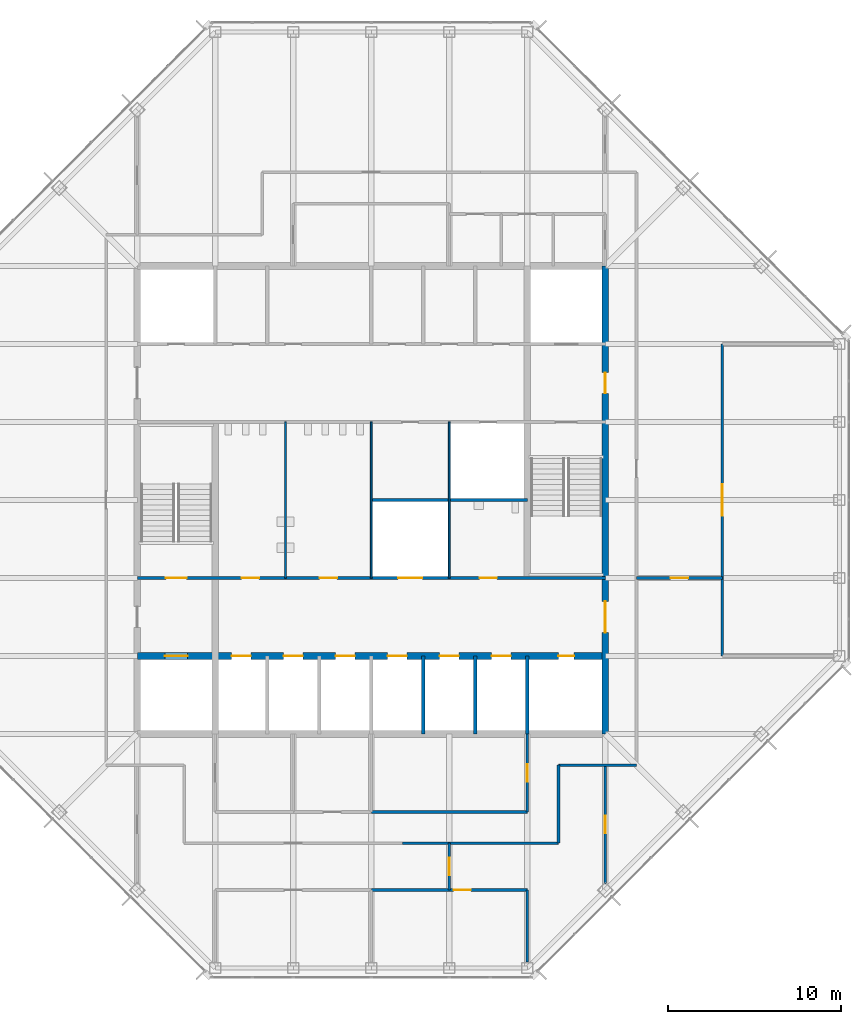
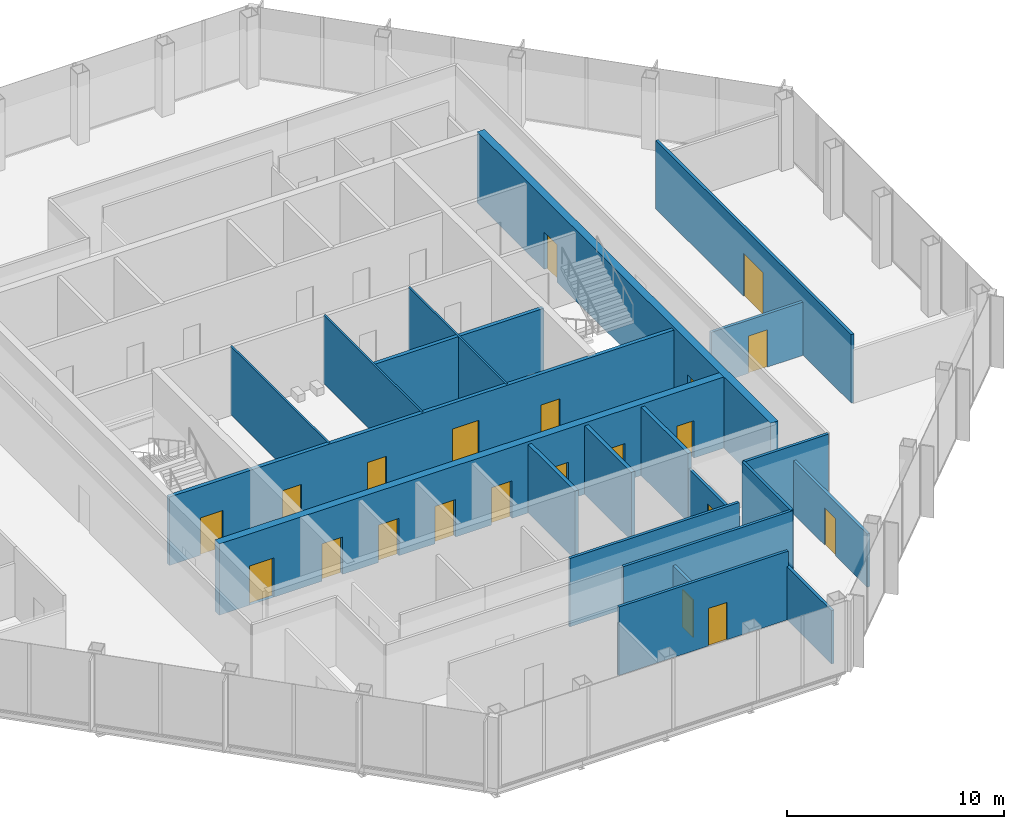
# One storey, part 10 of 14: 21 doors, 21 walls, 21 openings.
"""IFC4 building model written with IfcOpenShell, lengths in metres."""

from ifc_helpers import new_model, si_unit, direction, frame, frame_2d, origin, place, context, subcontext, project, spatial, rectangle, extrude, material, layer, layer_set, type_object, element, fill, save


model = new_model("IFC4")

# Units and contexts
model_context = context("Model", 3, precision=1e-05, world=origin(), true_north=direction((0.0, 1.0)))
body_context = subcontext(model_context, "Body", "Model", "MODEL_VIEW")
ifc_project = project(units=[si_unit("LENGTHUNIT", "METRE"), si_unit("AREAUNIT", "SQUARE_METRE"), si_unit("VOLUMEUNIT", "CUBIC_METRE"), si_unit("PLANEANGLEUNIT", "RADIAN"), si_unit("MASSUNIT", "GRAM", prefix="KILO")], contexts=[model_context])

# Site, building, storey
site_placement = place(None, origin())
site = spatial("IfcSite", under=ifc_project, at=site_placement, CompositionType="ELEMENT")
building_placement = place(site_placement, origin())
building = spatial("IfcBuilding", under=site, at=building_placement, Name="Corais Broadcast Tower", CompositionType="ELEMENT")
storey_placement = place(building_placement, frame((0.0, 0.0, 234.60009765625)))
storey = spatial("IfcBuildingStorey", under=building, at=storey_placement, Name="L54", CompositionType="ELEMENT", Elevation=234.60009765625)

# Wall
ifc_material_1 = material(Name="Concrete blockwork class A, grouted, two-hour", Category="masonry")
ifc_layer_1 = layer(ifc_material_1, 0.199951171875)
ifc_layer_set_1 = layer_set([ifc_layer_1], Name="Concrete blockwork class A, grouted, two-hour")
wall_type_1 = type_object("IfcWallType", Name="Core lobby wall 200", PredefinedType="SOLIDWALL", material=ifc_layer_set_1)
wall_1_placement = place(storey_placement, frame((36.0, 13.5, 0.0), z_axis=(0.0, 0.0, 1.0), x_axis=(0.0, 1.0, 0.0)))
element("IfcWall", 1, at=wall_1_placement, inside=storey, type_object=wall_type_1, Name="CL3 core shaft wall X36A L54", PredefinedType="SOLIDWALL", context=body_context, shape_type="SweptSolid", body=[
    extrude(rectangle(XDim=4.5, YDim=0.199951171875, at=frame_2d((2.25, 0.0))), origin(), (0.0, 0.0, 1.0), 3.83984375),
])

# Wall, openings, doors
wall_2_placement = place(storey_placement, frame((13.5, 22.5, 0.0), z_axis=(0.0, 0.0, 1.0), x_axis=(1.0, 0.0, 0.0)))
wall_2 = element("IfcWall", 2, at=wall_2_placement, inside=storey, type_object=wall_type_1, Name="CL3 core lobby wall Y225 L54", PredefinedType="SOLIDWALL", context=body_context, shape_type="SweptSolid", body=[
    extrude(rectangle(XDim=27.0, YDim=0.199951171875, at=frame_2d((13.5, 0.0))), origin(), (0.0, 0.0, 1.0), 3.83984375),
])
opening_1_placement = place(wall_2_placement, frame((1.64990234375, 0.0, 0.0)))
opening_1 = element("IfcOpeningElement", 3, at=opening_1_placement, cuts=wall_2, Name="Opening FD1", PredefinedType="OPENING", context=body_context, shape_type="SweptSolid", body=[
    extrude(rectangle(XDim=1.199951171875, YDim=2.10009765625, at=frame_2d((0.60009765625, 1.050048828125))), frame((0.0, 0.10986328125, 0.0), z_axis=(0.0, -1.0, 0.0), x_axis=(1.0, 0.0, 0.0)), (0.0, 0.0, 1.0), 0.219970703125),
])
opening_2_placement = place(wall_2_placement, frame((6.02490234375, 0.0, 0.0)))
opening_2 = element("IfcOpeningElement", 4, at=opening_2_placement, cuts=wall_2, Name="Opening WD1", PredefinedType="OPENING", context=body_context, shape_type="SweptSolid", body=[
    extrude(rectangle(XDim=1.0, YDim=2.10009765625, at=frame_2d((0.5, 1.050048828125))), frame((0.0, 0.10986328125, 0.0), z_axis=(0.0, -1.0, 0.0), x_axis=(1.0, 0.0, 0.0)), (0.0, 0.0, 1.0), 0.219970703125),
])
opening_3_placement = place(wall_2_placement, frame((10.52490234375, 0.0, 0.0)))
opening_3 = element("IfcOpeningElement", 5, at=opening_3_placement, cuts=wall_2, Name="Opening WD1", PredefinedType="OPENING", context=body_context, shape_type="SweptSolid", body=[
    extrude(rectangle(XDim=1.0, YDim=2.10009765625, at=frame_2d((0.5, 1.050048828125))), frame((0.0, 0.10986328125, 0.0), z_axis=(0.0, -1.0, 0.0), x_axis=(1.0, 0.0, 0.0)), (0.0, 0.0, 1.0), 0.219970703125),
])
opening_4_placement = place(wall_2_placement, frame((19.75, 0.0, 0.0)))
opening_4 = element("IfcOpeningElement", 6, at=opening_4_placement, cuts=wall_2, Name="Opening WD1", PredefinedType="OPENING", context=body_context, shape_type="SweptSolid", body=[
    extrude(rectangle(XDim=1.0, YDim=2.10009765625, at=frame_2d((0.5, 1.050048828125))), frame((0.0, 0.10986328125, 0.0), z_axis=(0.0, -1.0, 0.0), x_axis=(1.0, 0.0, 0.0)), (0.0, 0.0, 1.0), 0.219970703125),
])
opening_5_placement = place(wall_2_placement, frame((15.050048828125, 0.0, 0.0)))
opening_5 = element("IfcOpeningElement", 7, at=opening_5_placement, cuts=wall_2, Name="Opening LD3", PredefinedType="OPENING", context=body_context, shape_type="SweptSolid", body=[
    extrude(rectangle(XDim=1.39990234375, YDim=2.39990234375, at=frame_2d((0.699951171875, 1.199951171875))), frame((0.0, 0.10986328125, 0.0), z_axis=(0.0, -1.0, 0.0), x_axis=(1.0, 0.0, 0.0)), (0.0, 0.0, 1.0), 0.219970703125),
])
ifc_material_2 = material(Name="Steel fire door", Category="steel")
door_type_1 = type_object("IfcDoorType", Name="Fire door 1200x2100", OperationType="SINGLE_SWING_LEFT", PredefinedType="DOOR", material=ifc_material_2)
door_1_placement = place(opening_1_placement, origin())
door_1 = element("IfcDoor", 8, at=door_1_placement, inside=storey, type_object=door_type_1, Name="FD1 stair A door L54", OperationType="SINGLE_SWING_LEFT", OverallHeight=2.10009765625, OverallWidth=1.199951171875, PredefinedType="DOOR", context=body_context, shape_type="SweptSolid", body=[
    extrude(rectangle(XDim=1.199951171875, YDim=2.10009765625, at=frame_2d((0.60009765625, 1.050048828125))), frame((0.0, 0.02490234375, 0.0), z_axis=(0.0, -1.0, 0.0), x_axis=(1.0, 0.0, 0.0)), (0.0, 0.0, 1.0), 0.050048828125),
])
fill(opening_1, door_1)
ifc_material_3 = material(Name="Stainless steel lift door", Category="steel")
door_type_2 = type_object("IfcDoorType", Name="Service lift landing door 1400x2400", OperationType="SLIDING_TO_LEFT", PredefinedType="DOOR", material=ifc_material_3)
door_2_placement = place(opening_5_placement, origin())
door_2 = element("IfcDoor", 9, at=door_2_placement, inside=storey, type_object=door_type_2, Name="LD3 SL1 landing door L54", OperationType="SLIDING_TO_LEFT", OverallHeight=2.39990234375, OverallWidth=1.39990234375, PredefinedType="DOOR", context=body_context, shape_type="SweptSolid", body=[
    extrude(rectangle(XDim=1.39990234375, YDim=2.39990234375, at=frame_2d((0.699951171875, 1.199951171875))), frame((0.0, 0.02490234375, 0.0), z_axis=(0.0, -1.0, 0.0), x_axis=(1.0, 0.0, 0.0)), (0.0, 0.0, 1.0), 0.050048828125),
])
fill(opening_5, door_2)
ifc_material_4 = material(Name="Timber door", Category="wood")
door_type_3 = type_object("IfcDoorType", Name="Toilet door 1000x2100", OperationType="SINGLE_SWING_LEFT", PredefinedType="DOOR", material=ifc_material_4)
door_3_placement = place(opening_2_placement, origin())
door_3 = element("IfcDoor", 10, at=door_3_placement, inside=storey, type_object=door_type_3, Name="WD1 WC male door L54", OperationType="SINGLE_SWING_LEFT", OverallHeight=2.10009765625, OverallWidth=1.0, PredefinedType="DOOR", context=body_context, shape_type="SweptSolid", body=[
    extrude(rectangle(XDim=1.0, YDim=2.10009765625, at=frame_2d((0.5, 1.050048828125))), frame((0.0, 0.02490234375, 0.0), z_axis=(0.0, -1.0, 0.0), x_axis=(1.0, 0.0, 0.0)), (0.0, 0.0, 1.0), 0.050048828125),
])
fill(opening_2, door_3)
door_4_placement = place(opening_3_placement, origin())
door_4 = element("IfcDoor", 11, at=door_4_placement, inside=storey, type_object=door_type_3, Name="WD1 WC female door L54", OperationType="SINGLE_SWING_LEFT", OverallHeight=2.10009765625, OverallWidth=1.0, PredefinedType="DOOR", context=body_context, shape_type="SweptSolid", body=[
    extrude(rectangle(XDim=1.0, YDim=2.10009765625, at=frame_2d((0.5, 1.050048828125))), frame((0.0, 0.02490234375, 0.0), z_axis=(0.0, -1.0, 0.0), x_axis=(1.0, 0.0, 0.0)), (0.0, 0.0, 1.0), 0.050048828125),
])
fill(opening_3, door_4)
door_5_placement = place(opening_4_placement, origin())
door_5 = element("IfcDoor", 12, at=door_5_placement, inside=storey, type_object=door_type_3, Name="WD1 accessible WC door L54", OperationType="SINGLE_SWING_RIGHT", OverallHeight=2.10009765625, OverallWidth=1.0, PredefinedType="DOOR", context=body_context, shape_type="SweptSolid", body=[
    extrude(rectangle(XDim=1.0, YDim=2.10009765625, at=frame_2d((0.5, 1.050048828125))), frame((0.0, 0.02490234375, 0.0), z_axis=(0.0, -1.0, 0.0), x_axis=(1.0, 0.0, 0.0)), (0.0, 0.0, 1.0), 0.050048828125),
])
fill(opening_4, door_5)

ifc_material_5 = material(Name="Concrete C50/60", Category="concrete")
ifc_layer_2 = layer(ifc_material_5, 0.39990234375)
ifc_layer_set_2 = layer_set([ifc_layer_2], Name="Concrete C50/60")
wall_type_2 = type_object("IfcWallType", Name="Core wall 400", PredefinedType="SHEAR", material=ifc_layer_set_2)
wall_3_placement = place(storey_placement, frame((40.5, 13.5, 0.0), z_axis=(0.0, 0.0, 1.0), x_axis=(0.0, 1.0, 0.0)))
wall_3 = element("IfcWall", 13, at=wall_3_placement, inside=storey, type_object=wall_type_2, Name="CR400 core wall E L54", PredefinedType="SHEAR", context=body_context, shape_type="SweptSolid", body=[
    extrude(rectangle(XDim=27.0, YDim=0.39990234375, at=frame_2d((13.5, 0.0))), origin(), (0.0, 0.0, 1.0), 4.0),
])
opening_6_placement = place(wall_3_placement, frame((5.85009765625, 0.0, 0.0)))
opening_6 = element("IfcOpeningElement", 14, at=opening_6_placement, cuts=wall_3, Name="Opening FD2", PredefinedType="OPENING", context=body_context, shape_type="SweptSolid", body=[
    extrude(rectangle(XDim=1.800048828125, YDim=2.10009765625, at=frame_2d((0.89990234375, 1.050048828125))), frame((0.0, 0.2099609375, 0.0), z_axis=(0.0, -1.0, 0.0), x_axis=(1.0, 0.0, 0.0)), (0.0, 0.0, 1.0), 0.419921875),
])
opening_7_placement = place(wall_3_placement, frame((19.64990234375, 0.0, 0.0)))
opening_7 = element("IfcOpeningElement", 15, at=opening_7_placement, cuts=wall_3, Name="Opening FD1", PredefinedType="OPENING", context=body_context, shape_type="SweptSolid", body=[
    extrude(rectangle(XDim=1.199951171875, YDim=2.10009765625, at=frame_2d((0.60009765625, 1.050048828125))), frame((0.0, 0.2099609375, 0.0), z_axis=(0.0, -1.0, 0.0), x_axis=(1.0, 0.0, 0.0)), (0.0, 0.0, 1.0), 0.419921875),
])
door_6_placement = place(opening_7_placement, origin())
door_6 = element("IfcDoor", 16, at=door_6_placement, inside=storey, type_object=door_type_1, Name="FD1 fire lobby B door L54", OperationType="SINGLE_SWING_RIGHT", OverallHeight=2.10009765625, OverallWidth=1.199951171875, PredefinedType="DOOR", context=body_context, shape_type="SweptSolid", body=[
    extrude(rectangle(XDim=1.199951171875, YDim=2.10009765625, at=frame_2d((0.60009765625, 1.050048828125))), frame((0.0, 0.02490234375, 0.0), z_axis=(0.0, -1.0, 0.0), x_axis=(1.0, 0.0, 0.0)), (0.0, 0.0, 1.0), 0.050048828125),
])
fill(opening_7, door_6)
ifc_material_6 = material(Name="Steel fire door", Category="steel")
door_type_4 = type_object("IfcDoorType", Name="Fire door pair 1800x2100", OperationType="DOUBLE_DOOR_SINGLE_SWING", PredefinedType="DOOR", material=ifc_material_6)
door_7_placement = place(opening_6_placement, origin())
door_7 = element("IfcDoor", 17, at=door_7_placement, inside=storey, type_object=door_type_4, Name="FD2 lift lobby door L54", OperationType="SINGLE_SWING_LEFT", OverallHeight=2.10009765625, OverallWidth=1.800048828125, PredefinedType="DOOR", context=body_context, shape_type="SweptSolid", body=[
    extrude(rectangle(XDim=1.800048828125, YDim=2.10009765625, at=frame_2d((0.89990234375, 1.050048828125))), frame((0.0, 0.02490234375, 0.0), z_axis=(0.0, -1.0, 0.0), x_axis=(1.0, 0.0, 0.0)), (0.0, 0.0, 1.0), 0.050048828125),
])
fill(opening_6, door_7)

wall_4_placement = place(storey_placement, frame((13.5, 18.0, 0.0), z_axis=(0.0, 0.0, 1.0), x_axis=(1.0, 0.0, 0.0)))
wall_4 = element("IfcWall", 18, at=wall_4_placement, inside=storey, type_object=wall_type_2, Name="CR400 core wall Y18 L54", PredefinedType="SHEAR", context=body_context, shape_type="SweptSolid", body=[
    extrude(rectangle(XDim=27.0, YDim=0.39990234375, at=frame_2d((13.5, 0.0))), origin(), (0.0, 0.0, 1.0), 4.0),
])
opening_8_placement = place(wall_4_placement, frame((24.300048828125, 0.0, 0.0)))
opening_8 = element("IfcOpeningElement", 19, at=opening_8_placement, cuts=wall_4, Name="Opening RD1", PredefinedType="OPENING", context=body_context, shape_type="SweptSolid", body=[
    extrude(rectangle(XDim=0.89990234375, YDim=2.10009765625, at=frame_2d((0.449951171875, 1.050048828125))), frame((0.0, 0.2099609375, 0.0), z_axis=(0.0, -1.0, 0.0), x_axis=(1.0, 0.0, 0.0)), (0.0, 0.0, 1.0), 0.419921875),
])
opening_9_placement = place(wall_4_placement, frame((5.449951171875, 0.0, 0.0)))
opening_9 = element("IfcOpeningElement", 20, at=opening_9_placement, cuts=wall_4, Name="Opening LD1", PredefinedType="OPENING", context=body_context, shape_type="SweptSolid", body=[
    extrude(rectangle(XDim=1.10009765625, YDim=2.10009765625, at=frame_2d((0.550048828125, 1.050048828125))), frame((0.0, 0.2099609375, 0.0), z_axis=(0.0, -1.0, 0.0), x_axis=(1.0, 0.0, 0.0)), (0.0, 0.0, 1.0), 0.419921875),
])
opening_10_placement = place(wall_4_placement, frame((8.449951171875, 0.0, 0.0)))
opening_10 = element("IfcOpeningElement", 21, at=opening_10_placement, cuts=wall_4, Name="Opening LD1", PredefinedType="OPENING", context=body_context, shape_type="SweptSolid", body=[
    extrude(rectangle(XDim=1.10009765625, YDim=2.10009765625, at=frame_2d((0.550048828125, 1.050048828125))), frame((0.0, 0.2099609375, 0.0), z_axis=(0.0, -1.0, 0.0), x_axis=(1.0, 0.0, 0.0)), (0.0, 0.0, 1.0), 0.419921875),
])
opening_11_placement = place(wall_4_placement, frame((11.449951171875, 0.0, 0.0)))
opening_11 = element("IfcOpeningElement", 22, at=opening_11_placement, cuts=wall_4, Name="Opening LD1", PredefinedType="OPENING", context=body_context, shape_type="SweptSolid", body=[
    extrude(rectangle(XDim=1.10009765625, YDim=2.10009765625, at=frame_2d((0.550048828125, 1.050048828125))), frame((0.0, 0.2099609375, 0.0), z_axis=(0.0, -1.0, 0.0), x_axis=(1.0, 0.0, 0.0)), (0.0, 0.0, 1.0), 0.419921875),
])
opening_12_placement = place(wall_4_placement, frame((14.449951171875, 0.0, 0.0)))
opening_12 = element("IfcOpeningElement", 23, at=opening_12_placement, cuts=wall_4, Name="Opening LD1", PredefinedType="OPENING", context=body_context, shape_type="SweptSolid", body=[
    extrude(rectangle(XDim=1.10009765625, YDim=2.10009765625, at=frame_2d((0.550048828125, 1.050048828125))), frame((0.0, 0.2099609375, 0.0), z_axis=(0.0, -1.0, 0.0), x_axis=(1.0, 0.0, 0.0)), (0.0, 0.0, 1.0), 0.419921875),
])
opening_13_placement = place(wall_4_placement, frame((17.449951171875, 0.0, 0.0)))
opening_13 = element("IfcOpeningElement", 24, at=opening_13_placement, cuts=wall_4, Name="Opening LD1", PredefinedType="OPENING", context=body_context, shape_type="SweptSolid", body=[
    extrude(rectangle(XDim=1.10009765625, YDim=2.10009765625, at=frame_2d((0.550048828125, 1.050048828125))), frame((0.0, 0.2099609375, 0.0), z_axis=(0.0, -1.0, 0.0), x_axis=(1.0, 0.0, 0.0)), (0.0, 0.0, 1.0), 0.419921875),
])
opening_14_placement = place(wall_4_placement, frame((20.449951171875, 0.0, 0.0)))
opening_14 = element("IfcOpeningElement", 25, at=opening_14_placement, cuts=wall_4, Name="Opening LD1", PredefinedType="OPENING", context=body_context, shape_type="SweptSolid", body=[
    extrude(rectangle(XDim=1.10009765625, YDim=2.10009765625, at=frame_2d((0.550048828125, 1.050048828125))), frame((0.0, 0.2099609375, 0.0), z_axis=(0.0, -1.0, 0.0), x_axis=(1.0, 0.0, 0.0)), (0.0, 0.0, 1.0), 0.419921875),
])
opening_15_placement = place(wall_4_placement, frame((1.60009765625, 0.0, 0.0)))
opening_15 = element("IfcOpeningElement", 26, at=opening_15_placement, cuts=wall_4, Name="Opening LD2", PredefinedType="OPENING", context=body_context, shape_type="SweptSolid", body=[
    extrude(rectangle(XDim=1.300048828125, YDim=2.199951171875, at=frame_2d((0.64990234375, 1.10009765625))), frame((0.0, 0.2099609375, 0.0), z_axis=(0.0, -1.0, 0.0), x_axis=(1.0, 0.0, 0.0)), (0.0, 0.0, 1.0), 0.419921875),
])
ifc_material_7 = material(Name="Stainless steel lift door", Category="steel")
door_type_5 = type_object("IfcDoorType", Name="Lift landing door 1100x2100", OperationType="SLIDING_TO_LEFT", PredefinedType="DOOR", material=ifc_material_7)
door_8_placement = place(opening_9_placement, origin())
door_8 = element("IfcDoor", 27, at=door_8_placement, inside=storey, type_object=door_type_5, Name="LD1 PH1 landing door L54", OperationType="SLIDING_TO_LEFT", OverallHeight=2.10009765625, OverallWidth=1.10009765625, PredefinedType="DOOR", context=body_context, shape_type="SweptSolid", body=[
    extrude(rectangle(XDim=1.10009765625, YDim=2.10009765625, at=frame_2d((0.550048828125, 1.050048828125))), frame((0.0, 0.02490234375, 0.0), z_axis=(0.0, -1.0, 0.0), x_axis=(1.0, 0.0, 0.0)), (0.0, 0.0, 1.0), 0.050048828125),
])
fill(opening_9, door_8)
door_9_placement = place(opening_10_placement, origin())
door_9 = element("IfcDoor", 28, at=door_9_placement, inside=storey, type_object=door_type_5, Name="LD1 PH2 landing door L54", OperationType="SLIDING_TO_LEFT", OverallHeight=2.10009765625, OverallWidth=1.10009765625, PredefinedType="DOOR", context=body_context, shape_type="SweptSolid", body=[
    extrude(rectangle(XDim=1.10009765625, YDim=2.10009765625, at=frame_2d((0.550048828125, 1.050048828125))), frame((0.0, 0.02490234375, 0.0), z_axis=(0.0, -1.0, 0.0), x_axis=(1.0, 0.0, 0.0)), (0.0, 0.0, 1.0), 0.050048828125),
])
fill(opening_10, door_9)
door_10_placement = place(opening_11_placement, origin())
door_10 = element("IfcDoor", 29, at=door_10_placement, inside=storey, type_object=door_type_5, Name="LD1 PH3 landing door L54", OperationType="SLIDING_TO_LEFT", OverallHeight=2.10009765625, OverallWidth=1.10009765625, PredefinedType="DOOR", context=body_context, shape_type="SweptSolid", body=[
    extrude(rectangle(XDim=1.10009765625, YDim=2.10009765625, at=frame_2d((0.550048828125, 1.050048828125))), frame((0.0, 0.02490234375, 0.0), z_axis=(0.0, -1.0, 0.0), x_axis=(1.0, 0.0, 0.0)), (0.0, 0.0, 1.0), 0.050048828125),
])
fill(opening_11, door_10)
door_11_placement = place(opening_12_placement, origin())
door_11 = element("IfcDoor", 30, at=door_11_placement, inside=storey, type_object=door_type_5, Name="LD1 PH4 landing door L54", OperationType="SLIDING_TO_LEFT", OverallHeight=2.10009765625, OverallWidth=1.10009765625, PredefinedType="DOOR", context=body_context, shape_type="SweptSolid", body=[
    extrude(rectangle(XDim=1.10009765625, YDim=2.10009765625, at=frame_2d((0.550048828125, 1.050048828125))), frame((0.0, 0.02490234375, 0.0), z_axis=(0.0, -1.0, 0.0), x_axis=(1.0, 0.0, 0.0)), (0.0, 0.0, 1.0), 0.050048828125),
])
fill(opening_12, door_11)
door_12_placement = place(opening_13_placement, origin())
door_12 = element("IfcDoor", 31, at=door_12_placement, inside=storey, type_object=door_type_5, Name="LD1 PH5 landing door L54", OperationType="SLIDING_TO_LEFT", OverallHeight=2.10009765625, OverallWidth=1.10009765625, PredefinedType="DOOR", context=body_context, shape_type="SweptSolid", body=[
    extrude(rectangle(XDim=1.10009765625, YDim=2.10009765625, at=frame_2d((0.550048828125, 1.050048828125))), frame((0.0, 0.02490234375, 0.0), z_axis=(0.0, -1.0, 0.0), x_axis=(1.0, 0.0, 0.0)), (0.0, 0.0, 1.0), 0.050048828125),
])
fill(opening_13, door_12)
door_13_placement = place(opening_14_placement, origin())
door_13 = element("IfcDoor", 32, at=door_13_placement, inside=storey, type_object=door_type_5, Name="LD1 PH6 landing door L54", OperationType="SLIDING_TO_LEFT", OverallHeight=2.10009765625, OverallWidth=1.10009765625, PredefinedType="DOOR", context=body_context, shape_type="SweptSolid", body=[
    extrude(rectangle(XDim=1.10009765625, YDim=2.10009765625, at=frame_2d((0.550048828125, 1.050048828125))), frame((0.0, 0.02490234375, 0.0), z_axis=(0.0, -1.0, 0.0), x_axis=(1.0, 0.0, 0.0)), (0.0, 0.0, 1.0), 0.050048828125),
])
fill(opening_14, door_13)
ifc_material_8 = material(Name="Stainless steel lift door", Category="steel")
door_type_6 = type_object("IfcDoorType", Name="Lift landing door 1300x2200", OperationType="SLIDING_TO_LEFT", PredefinedType="DOOR", material=ifc_material_8)
door_14_placement = place(opening_15_placement, origin())
door_14 = element("IfcDoor", 33, at=door_14_placement, inside=storey, type_object=door_type_6, Name="LD2 FL1 landing door L54", OperationType="SLIDING_TO_LEFT", OverallHeight=2.199951171875, OverallWidth=1.300048828125, PredefinedType="DOOR", context=body_context, shape_type="SweptSolid", body=[
    extrude(rectangle(XDim=1.300048828125, YDim=2.199951171875, at=frame_2d((0.64990234375, 1.10009765625))), frame((0.0, 0.02490234375, 0.0), z_axis=(0.0, -1.0, 0.0), x_axis=(1.0, 0.0, 0.0)), (0.0, 0.0, 1.0), 0.050048828125),
])
fill(opening_15, door_14)
ifc_material_9 = material(Name="Steel fire door", Category="steel")
door_type_7 = type_object("IfcDoorType", Name="Riser door 900x2100", OperationType="SINGLE_SWING_LEFT", PredefinedType="DOOR", material=ifc_material_9)
door_15_placement = place(opening_8_placement, origin())
door_15 = element("IfcDoor", 34, at=door_15_placement, inside=storey, type_object=door_type_7, Name="RD1 riser door L54", OperationType="SINGLE_SWING_RIGHT", OverallHeight=2.10009765625, OverallWidth=0.89990234375, PredefinedType="DOOR", context=body_context, shape_type="SweptSolid", body=[
    extrude(rectangle(XDim=0.89990234375, YDim=2.10009765625, at=frame_2d((0.449951171875, 1.050048828125))), frame((0.0, 0.02490234375, 0.0), z_axis=(0.0, -1.0, 0.0), x_axis=(1.0, 0.0, 0.0)), (0.0, 0.0, 1.0), 0.050048828125),
])
fill(opening_8, door_15)

# Walls
ifc_material_10 = material(Name="Gypsum board on steel studs", Category="steel")
ifc_layer_3 = layer(ifc_material_10, 0.14990234375)
ifc_layer_set_3 = layer_set([ifc_layer_3], Name="Gypsum board on steel studs")
wall_type_3 = type_object("IfcWallType", Name="Partition 150", PredefinedType="PARTITIONING", material=ifc_layer_set_3)
wall_5_placement = place(storey_placement, frame((28.800048828125, 7.199951171875, 0.0), z_axis=(0.0, 0.0, 1.0), x_axis=(1.0, 0.0, 0.0)))
element("IfcWall", 35, at=wall_5_placement, inside=storey, type_object=wall_type_3, Name="IW3 corridor wall L54", PredefinedType="PARTITIONING", context=body_context, shape_type="SweptSolid", body=[
    extrude(rectangle(XDim=9.0, YDim=0.14990234375, at=frame_2d((4.5, 0.0))), origin(), (0.0, 0.0, 1.0), 3.83984375),
])
for number, where, z_axis, x_axis, name in (
    (36, (37.800048828125, 7.199951171875, 0.0), (0.0, 0.0, 1.0), (0.0, 1.0, 0.0), "IW3 corridor wall L54"),
    (37, (37.800048828125, 11.699951171875, 0.0), (0.0, 0.0, 1.0), (1.0, 0.0, 0.0), "IW3 corridor wall L54"),
):
    element("IfcWall", number, at=place(storey_placement, frame(where, z_axis=z_axis, x_axis=x_axis)), inside=storey, type_object=wall_type_3, Name=name, PredefinedType="PARTITIONING", context=body_context, shape_type="SweptSolid", body=[
        extrude(rectangle(XDim=4.5, YDim=0.14990234375, at=frame_2d((2.25, 0.0))), origin(), (0.0, 0.0, 1.0), 3.83984375),
    ])

# Wall, opening, door
wall_6_placement = place(storey_placement, frame((47.25, 36.0, 0.0), z_axis=(0.0, 0.0, 1.0), x_axis=(0.0, -1.0, 0.0)))
wall_6 = element("IfcWall", 38, at=wall_6_placement, inside=storey, type_object=wall_type_3, Name="IW3 partition L54", PredefinedType="PARTITIONING", context=body_context, shape_type="SweptSolid", body=[
    extrude(rectangle(XDim=18.0, YDim=0.14990234375, at=frame_2d((9.0, 0.0))), origin(), (0.0, 0.0, 1.0), 3.83984375),
])
opening_16_placement = place(wall_6_placement, frame((8.10009765625, 0.0, 0.0)))
opening_16 = element("IfcOpeningElement", 39, at=opening_16_placement, cuts=wall_6, Name="Opening D2", PredefinedType="OPENING", context=body_context, shape_type="SweptSolid", body=[
    extrude(rectangle(XDim=1.800048828125, YDim=2.39990234375, at=frame_2d((0.89990234375, 1.199951171875))), frame((0.0, 0.0849609375, 0.0), z_axis=(0.0, -1.0, 0.0), x_axis=(1.0, 0.0, 0.0)), (0.0, 0.0, 1.0), 0.169921875),
])
ifc_material_11 = material(Name="Timber door", Category="wood")
door_type_8 = type_object("IfcDoorType", Name="Double door 1800x2400", OperationType="DOUBLE_DOOR_SINGLE_SWING", PredefinedType="DOOR", material=ifc_material_11)
door_16_placement = place(opening_16_placement, origin())
door_16 = element("IfcDoor", 40, at=door_16_placement, inside=storey, type_object=door_type_8, Name="D2 Boardroom door", OperationType="SINGLE_SWING_LEFT", OverallHeight=2.39990234375, OverallWidth=1.800048828125, PredefinedType="DOOR", context=body_context, shape_type="SweptSolid", body=[
    extrude(rectangle(XDim=1.800048828125, YDim=2.39990234375, at=frame_2d((0.89990234375, 1.199951171875))), frame((0.0, 0.02490234375, 0.0), z_axis=(0.0, -1.0, 0.0), x_axis=(1.0, 0.0, 0.0)), (0.0, 0.0, 1.0), 0.050048828125),
])
fill(opening_16, door_16)

# Wall
wall_7_placement = place(storey_placement, frame((27.0, 9.0, 0.0), z_axis=(0.0, 0.0, 1.0), x_axis=(1.0, 0.0, 0.0)))
element("IfcWall", 41, at=wall_7_placement, inside=storey, type_object=wall_type_3, Name="IW3 partition L54", PredefinedType="PARTITIONING", context=body_context, shape_type="SweptSolid", body=[
    extrude(rectangle(XDim=9.0, YDim=0.14990234375, at=frame_2d((4.5, 0.0))), origin(), (0.0, 0.0, 1.0), 3.83984375),
])

# Wall, opening, door
wall_8_placement = place(storey_placement, frame((36.0, 9.0, 0.0), z_axis=(0.0, 0.0, 1.0), x_axis=(0.0, 1.0, 0.0)))
wall_8 = element("IfcWall", 42, at=wall_8_placement, inside=storey, type_object=wall_type_3, Name="IW3 partition L54", PredefinedType="PARTITIONING", context=body_context, shape_type="SweptSolid", body=[
    extrude(rectangle(XDim=4.5, YDim=0.14990234375, at=frame_2d((2.25, 0.0))), origin(), (0.0, 0.0, 1.0), 2.989013671875),
])
opening_17_placement = place(wall_8_placement, frame((1.75, 0.0, 0.0)))
opening_17 = element("IfcOpeningElement", 43, at=opening_17_placement, cuts=wall_8, Name="Opening D1", PredefinedType="OPENING", context=body_context, shape_type="SweptSolid", body=[
    extrude(rectangle(XDim=1.0, YDim=2.10009765625, at=frame_2d((0.5, 1.050048828125))), frame((0.0, 0.0849609375, 0.0), z_axis=(0.0, -1.0, 0.0), x_axis=(1.0, 0.0, 0.0)), (0.0, 0.0, 1.0), 0.169921875),
])
ifc_material_12 = material(Name="Timber door", Category="wood")
door_type_9 = type_object("IfcDoorType", Name="Single door 1000x2100", OperationType="SINGLE_SWING_LEFT", PredefinedType="DOOR", material=ifc_material_12)
door_17_placement = place(opening_17_placement, origin())
door_17 = element("IfcDoor", 44, at=door_17_placement, inside=storey, type_object=door_type_9, Name="D1 Meeting room door", OperationType="SINGLE_SWING_LEFT", OverallHeight=2.10009765625, OverallWidth=1.0, PredefinedType="DOOR", context=body_context, shape_type="SweptSolid", body=[
    extrude(rectangle(XDim=1.0, YDim=2.10009765625, at=frame_2d((0.5, 1.050048828125))), frame((0.0, 0.02490234375, 0.0), z_axis=(0.0, -1.0, 0.0), x_axis=(1.0, 0.0, 0.0)), (0.0, 0.0, 1.0), 0.050048828125),
])
fill(opening_17, door_17)

# Wall
wall_9_placement = place(storey_placement, frame((36.0, 0.3349609375, 0.0), z_axis=(0.0, 0.0, 1.0), x_axis=(0.0, 1.0, 0.0)))
element("IfcWall", 45, at=wall_9_placement, inside=storey, type_object=wall_type_3, Name="IW3 partition L54", PredefinedType="PARTITIONING", context=body_context, shape_type="SweptSolid", body=[
    extrude(rectangle(XDim=4.1650390625, YDim=0.14990234375, at=frame_2d((2.08251953125, 0.0))), origin(), (0.0, 0.0, 1.0), 2.989013671875),
])

# Wall, opening, door
wall_10_placement = place(storey_placement, frame((36.0, 4.5, 0.0), z_axis=(0.0, 0.0, 1.0), x_axis=(-1.0, 0.0, 0.0)))
wall_10 = element("IfcWall", 46, at=wall_10_placement, inside=storey, type_object=wall_type_3, Name="IW3 partition L54", PredefinedType="PARTITIONING", context=body_context, shape_type="SweptSolid", body=[
    extrude(rectangle(XDim=9.0, YDim=0.14990234375, at=frame_2d((4.5, 0.0))), origin(), (0.0, 0.0, 1.0), 3.83984375),
])
opening_18_placement = place(wall_10_placement, frame((3.25, 0.0, 0.0)))
opening_18 = element("IfcOpeningElement", 47, at=opening_18_placement, cuts=wall_10, Name="Opening D1", PredefinedType="OPENING", context=body_context, shape_type="SweptSolid", body=[
    extrude(rectangle(XDim=1.0, YDim=2.10009765625, at=frame_2d((0.5, 1.050048828125))), frame((0.0, 0.0849609375, 0.0), z_axis=(0.0, -1.0, 0.0), x_axis=(1.0, 0.0, 0.0)), (0.0, 0.0, 1.0), 0.169921875),
])
door_18_placement = place(opening_18_placement, origin())
door_18 = element("IfcDoor", 48, at=door_18_placement, inside=storey, type_object=door_type_9, Name="D1 Office door", OperationType="SINGLE_SWING_LEFT", OverallHeight=2.10009765625, OverallWidth=1.0, PredefinedType="DOOR", context=body_context, shape_type="SweptSolid", body=[
    extrude(rectangle(XDim=1.0, YDim=2.10009765625, at=frame_2d((0.5, 1.050048828125))), frame((0.0, 0.02490234375, 0.0), z_axis=(0.0, -1.0, 0.0), x_axis=(1.0, 0.0, 0.0)), (0.0, 0.0, 1.0), 0.050048828125),
])
fill(opening_18, door_18)

wall_11_placement = place(storey_placement, frame((47.25, 22.5, 0.0), z_axis=(0.0, 0.0, 1.0), x_axis=(-1.0, 0.0, 0.0)))
wall_11 = element("IfcWall", 49, at=wall_11_placement, inside=storey, type_object=wall_type_3, Name="IW3 partition L54", PredefinedType="PARTITIONING", context=body_context, shape_type="SweptSolid", body=[
    extrude(rectangle(XDim=4.949951171875, YDim=0.14990234375, at=frame_2d((2.47509765625, 0.0))), origin(), (0.0, 0.0, 1.0), 2.989013671875),
])
opening_19_placement = place(wall_11_placement, frame((1.97509765625, 0.0, 0.0)))
opening_19 = element("IfcOpeningElement", 50, at=opening_19_placement, cuts=wall_11, Name="Opening D1", PredefinedType="OPENING", context=body_context, shape_type="SweptSolid", body=[
    extrude(rectangle(XDim=1.0, YDim=2.10009765625, at=frame_2d((0.5, 1.050048828125))), frame((0.0, 0.0849609375, 0.0), z_axis=(0.0, -1.0, 0.0), x_axis=(1.0, 0.0, 0.0)), (0.0, 0.0, 1.0), 0.169921875),
])
door_19_placement = place(opening_19_placement, origin())
door_19 = element("IfcDoor", 51, at=door_19_placement, inside=storey, type_object=door_type_9, Name="D1 team room door L54", OperationType="SINGLE_SWING_LEFT", OverallHeight=2.10009765625, OverallWidth=1.0, PredefinedType="DOOR", context=body_context, shape_type="SweptSolid", body=[
    extrude(rectangle(XDim=1.0, YDim=2.10009765625, at=frame_2d((0.5, 1.050048828125))), frame((0.0, 0.02490234375, 0.0), z_axis=(0.0, -1.0, 0.0), x_axis=(1.0, 0.0, 0.0)), (0.0, 0.0, 1.0), 0.050048828125),
])
fill(opening_19, door_19)

wall_12_placement = place(storey_placement, frame((31.5, 7.199951171875, 0.0), z_axis=(0.0, 0.0, 1.0), x_axis=(0.0, -1.0, 0.0)))
wall_12 = element("IfcWall", 52, at=wall_12_placement, inside=storey, type_object=wall_type_3, Name="IW3 partition L54", PredefinedType="PARTITIONING", context=body_context, shape_type="SweptSolid", body=[
    extrude(rectangle(XDim=2.699951171875, YDim=0.14990234375, at=frame_2d((1.35009765625, 0.0))), origin(), (0.0, 0.0, 1.0), 2.989013671875),
])
opening_20_placement = place(wall_12_placement, frame((0.85009765625, 0.0, 0.0)))
opening_20 = element("IfcOpeningElement", 53, at=opening_20_placement, cuts=wall_12, Name="Opening D1", PredefinedType="OPENING", context=body_context, shape_type="SweptSolid", body=[
    extrude(rectangle(XDim=1.0, YDim=2.10009765625, at=frame_2d((0.5, 1.050048828125))), frame((0.0, 0.0849609375, 0.0), z_axis=(0.0, -1.0, 0.0), x_axis=(1.0, 0.0, 0.0)), (0.0, 0.0, 1.0), 0.169921875),
])
door_20_placement = place(opening_20_placement, origin())
door_20 = element("IfcDoor", 54, at=door_20_placement, inside=storey, type_object=door_type_9, Name="D1 team room door L54", OperationType="SINGLE_SWING_LEFT", OverallHeight=2.10009765625, OverallWidth=1.0, PredefinedType="DOOR", context=body_context, shape_type="SweptSolid", body=[
    extrude(rectangle(XDim=1.0, YDim=2.10009765625, at=frame_2d((0.5, 1.050048828125))), frame((0.0, 0.02490234375, 0.0), z_axis=(0.0, -1.0, 0.0), x_axis=(1.0, 0.0, 0.0)), (0.0, 0.0, 1.0), 0.050048828125),
])
fill(opening_20, door_20)

wall_13_placement = place(storey_placement, frame((40.5, 4.844970703125, 0.0), z_axis=(0.0, 0.0, 1.0), x_axis=(0.0, 1.0, 0.0)))
wall_13 = element("IfcWall", 55, at=wall_13_placement, inside=storey, type_object=wall_type_3, Name="IW3 partition L54", PredefinedType="PARTITIONING", context=body_context, shape_type="SweptSolid", body=[
    extrude(rectangle(XDim=6.85498046875, YDim=0.14990234375, at=frame_2d((3.427490234375, 0.0))), origin(), (0.0, 0.0, 1.0), 2.989013671875),
])
opening_21_placement = place(wall_13_placement, frame((2.927490234375, 0.0, 0.0)))
opening_21 = element("IfcOpeningElement", 56, at=opening_21_placement, cuts=wall_13, Name="Opening D1", PredefinedType="OPENING", context=body_context, shape_type="SweptSolid", body=[
    extrude(rectangle(XDim=1.0, YDim=2.10009765625, at=frame_2d((0.5, 1.050048828125))), frame((0.0, 0.0849609375, 0.0), z_axis=(0.0, -1.0, 0.0), x_axis=(1.0, 0.0, 0.0)), (0.0, 0.0, 1.0), 0.169921875),
])
door_21_placement = place(opening_21_placement, origin())
door_21 = element("IfcDoor", 57, at=door_21_placement, inside=storey, type_object=door_type_9, Name="D1 team room door L54", OperationType="SINGLE_SWING_LEFT", OverallHeight=2.10009765625, OverallWidth=1.0, PredefinedType="DOOR", context=body_context, shape_type="SweptSolid", body=[
    extrude(rectangle(XDim=1.0, YDim=2.10009765625, at=frame_2d((0.5, 1.050048828125))), frame((0.0, 0.02490234375, 0.0), z_axis=(0.0, -1.0, 0.0), x_axis=(1.0, 0.0, 0.0)), (0.0, 0.0, 1.0), 0.050048828125),
])
fill(opening_21, door_21)

# Walls
ifc_material_13 = material(Name="Concrete blockwork class A, grouted, two-hour", Category="masonry")
ifc_layer_4 = layer(ifc_material_13, 0.199951171875)
ifc_layer_set_4 = layer_set([ifc_layer_4], Name="Concrete blockwork class A, grouted, two-hour")
wall_type_4 = type_object("IfcWallType", Name="Shaft wall 200", PredefinedType="PARTITIONING", material=ifc_layer_set_4)
for number, where, z_axis, x_axis, name in (
    (58, (30.0, 13.5, 0.0), (0.0, 0.0, 1.0), (0.0, 1.0, 0.0), "IW1 shaft wall L54"),
    (59, (33.0, 13.5, 0.0), (0.0, 0.0, 1.0), (0.0, 1.0, 0.0), "IW1 shaft wall L54"),
):
    element("IfcWall", number, at=place(storey_placement, frame(where, z_axis=z_axis, x_axis=x_axis)), inside=storey, type_object=wall_type_4, Name=name, PredefinedType="PARTITIONING", context=body_context, shape_type="SweptSolid", body=[
        extrude(rectangle(XDim=4.5, YDim=0.199951171875, at=frame_2d((2.25, 0.0))), origin(), (0.0, 0.0, 1.0), 3.83984375),
    ])
wall_14_placement = place(storey_placement, frame((27.0, 27.0, 0.0), z_axis=(0.0, 0.0, 1.0), x_axis=(1.0, 0.0, 0.0)))
element("IfcWall", 60, at=wall_14_placement, inside=storey, type_object=wall_type_4, Name="IW1 shaft wall L54", PredefinedType="PARTITIONING", context=body_context, shape_type="SweptSolid", body=[
    extrude(rectangle(XDim=9.0, YDim=0.199951171875, at=frame_2d((4.5, 0.0))), origin(), (0.0, 0.0, 1.0), 3.83984375),
])
ifc_material_14 = material(Name="Dense concrete blockwork class A, tiled both faces", Category="masonry")
ifc_layer_5 = layer(ifc_material_14, 0.10009765625)
ifc_layer_set_5 = layer_set([ifc_layer_5], Name="Dense concrete blockwork class A, tiled both faces")
wall_type_5 = type_object("IfcWallType", Name="Toilet wall 100", PredefinedType="PLUMBINGWALL", material=ifc_layer_set_5)
for number, where, z_axis, x_axis, name in (
    (61, (22.050048828125, 22.5, 0.0), (0.0, 0.0, 1.0), (0.0, 1.0, 0.0), "IW2 toilet wall L54"),
    (62, (27.0, 22.5, 0.0), (0.0, 0.0, 1.0), (0.0, 1.0, 0.0), "IW2 toilet wall L54"),
    (63, (31.5, 22.5, 0.0), (0.0, 0.0, 1.0), (0.0, 1.0, 0.0), "IW2 toilet wall L54"),
):
    element("IfcWall", number, at=place(storey_placement, frame(where, z_axis=z_axis, x_axis=x_axis)), inside=storey, type_object=wall_type_5, Name=name, PredefinedType="PLUMBINGWALL", context=body_context, shape_type="SweptSolid", body=[
        extrude(rectangle(XDim=9.0, YDim=0.10009765625, at=frame_2d((4.5, 0.0))), origin(), (0.0, 0.0, 1.0), 3.83984375),
    ])

save(model, "model.ifc")
